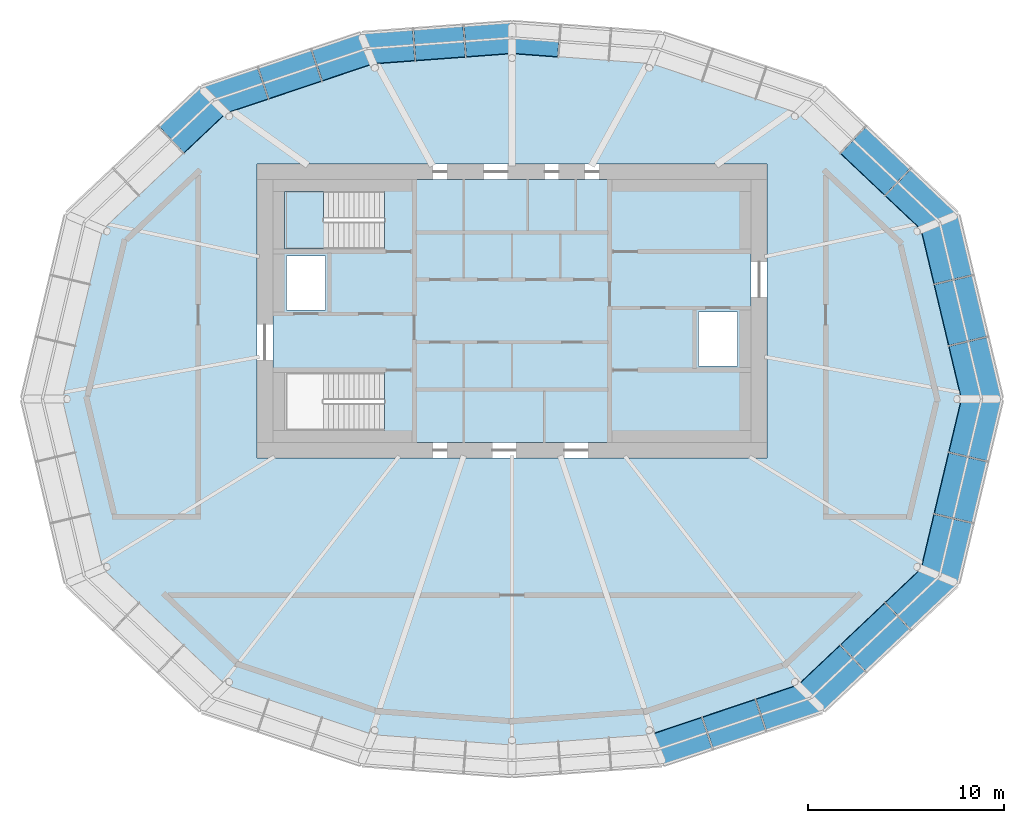
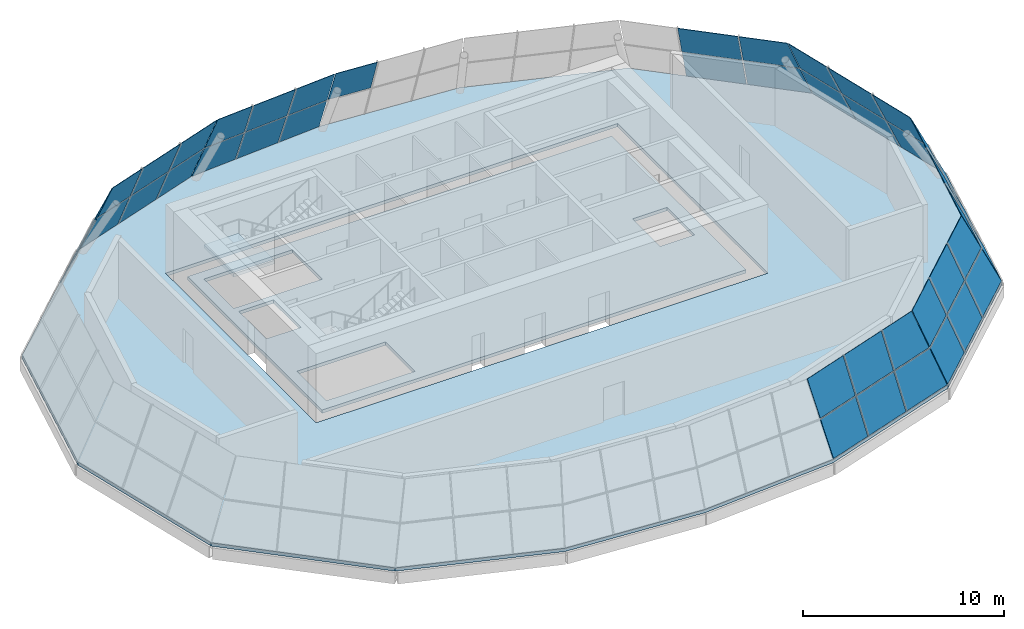
# One storey, part 4 of 8: 43 plates, 3 slabs, 10 elements without a shape of their own.
"""IFC4 building model written with IfcOpenShell, lengths in metres."""

from ifc_helpers import new_model, si_unit, direction, frame, origin, place, context, subcontext, project, spatial, polyline, outline, extrude, material, layer, layer_set, type_object, element, aggregate, save


model = new_model("IFC4")

# Units and contexts
model_context = context("Model", 3, precision=1e-05, world=origin(), true_north=direction((0.0, 1.0)))
body_context = subcontext(model_context, "Body", "Model", "MODEL_VIEW")
ifc_project = project(units=[si_unit("LENGTHUNIT", "METRE"), si_unit("AREAUNIT", "SQUARE_METRE"), si_unit("VOLUMEUNIT", "CUBIC_METRE"), si_unit("PLANEANGLEUNIT", "RADIAN"), si_unit("MASSUNIT", "GRAM", prefix="KILO")], contexts=[model_context])

# Site, building, storey
site_placement = place(None, origin())
site = spatial("IfcSite", under=ifc_project, at=site_placement, CompositionType="ELEMENT")
building_placement = place(site_placement, origin())
building = spatial("IfcBuilding", under=site, at=building_placement, Name="Rubra Terraces Tower", CompositionType="ELEMENT")
storey_placement = place(building_placement, frame((0.0, 0.0, 312.0)))
storey = spatial("IfcBuildingStorey", under=building, at=storey_placement, Name="L77", CompositionType="ELEMENT", Elevation=312.0)

# Slab
ifc_material_1 = material(Name="Concrete C40", Category="concrete")
ifc_layer_1 = layer(ifc_material_1, 0.199951171875)
ifc_layer_set_1 = layer_set([ifc_layer_1], Name="Concrete C40")
slab_type_1 = type_object("IfcSlabType", Name="Core floor slab 200 concrete", PredefinedType="FLOOR", material=ifc_layer_set_1)
slab_1_placement = place(storey_placement, frame((0.0, 0.0, -0.199951171875)))
element("IfcSlab", 1, at=slab_1_placement, inside=storey, type_object=slab_type_1, Name="CORE FLOOR SLAB L77", PredefinedType="FLOOR", context=body_context, shape_type="SweptSolid", body=[
    extrude(outline(polyline([(-12.199951171875, -2.199951171875), (-12.199951171875, 11.199951171875), (12.199951171875, 11.199951171875), (12.199951171875, -2.199951171875), (-12.199951171875, -2.199951171875)]), holes=[polyline([(11.5, 4.449951171875), (9.5, 4.449951171875), (9.5, 1.699951171875), (11.5, 1.699951171875), (11.5, 4.449951171875)]), polyline([(-6.501953125, -1.597900390625), (-6.501953125, 1.347900390625), (-11.597900390625, 1.347900390625), (-11.597900390625, -1.597900390625), (-6.501953125, -1.597900390625)]), polyline([(-6.501953125, 7.652099609375), (-6.501953125, 10.597900390625), (-11.597900390625, 10.597900390625), (-11.597900390625, 7.652099609375), (-6.501953125, 7.652099609375)]), polyline([(-11.5, 7.300048828125), (-11.5, 4.550048828125), (-9.5, 4.550048828125), (-9.5, 7.300048828125), (-11.5, 7.300048828125)])]), origin(), (0.0, 0.0, 1.0), 0.199951171875),
])

# Stair, slab
stair_type = type_object("IfcStairType", Name="Core stair 1400", PredefinedType="HALF_TURN_STAIR", material=ifc_material_1)
stair_placement = place(storey_placement, origin())
stair = element("IfcStair", 2, at=stair_placement, inside=storey, type_object=stair_type, Name="L77 Exit stair S2", PredefinedType="HALF_TURN_STAIR")
ifc_layer_2 = layer(ifc_material_1, 0.199951171875)
ifc_layer_set_2 = layer_set([ifc_layer_2], Name="Concrete C40")
slab_type_2 = type_object("IfcSlabType", Name="Core stair landing 200", PredefinedType="LANDING", material=ifc_layer_set_2)
slab_2_placement = place(storey_placement, frame((0.0, 0.0, 1.89990234375)))
slab_2 = element("IfcSlab", 3, at=slab_2_placement, type_object=slab_type_2, Name="S2 landing 1", PredefinedType="LANDING", context=body_context, shape_type="SweptSolid", body=[
    extrude(outline(polyline([(-9.239990234375, 9.050048828125), (-9.239990234375, 7.64990234375), (-9.639892578125, 7.64990234375), (-11.60009765625, 7.64990234375), (-11.60009765625, 10.60009765625), (-9.639892578125, 10.60009765625), (-9.6201171875, 10.60009765625), (-9.617919921875, 10.60009765625), (-9.617919921875, 9.199951171875), (-9.6201171875, 9.199951171875), (-9.6201171875, 9.050048828125), (-9.239990234375, 9.050048828125)])), origin(), (0.0, 0.0, 1.0), 0.2001953125),
])
aggregate(stair, [slab_2])

# Curtain wall, plates
ifc_material_2 = material(Name="Aluminium and glass", Category="aluminium")
curtain_wall_type = type_object("IfcCurtainWallType", Name="Curtain wall Crown glazing", PredefinedType="NOTDEFINED", material=ifc_material_2)
curtain_wall_1_placement = place(storey_placement, origin())
curtain_wall_1 = element("IfcCurtainWall", 4, at=curtain_wall_1_placement, inside=storey, type_object=curtain_wall_type, Name="Crown glazing L77 facet 1", PredefinedType="NOTDEFINED")
ifc_material_3 = material(Name="Clear glass, laminated", Category="glass")
ifc_layer_3 = layer(ifc_material_3, 0.028076171875)
ifc_layer_set_3 = layer_set([ifc_layer_3], Name="Clear glass, laminated")
plate_type = type_object("IfcPlateType", Name="Crown glazing glass panel 28", PredefinedType="CURTAIN_PANEL", material=ifc_layer_set_3)
plate_1_placement = place(storey_placement, frame((24.962890625, 0.029296875, 0.02685546875), z_axis=(0.877601484203, 0.208370163411, 0.431737779125), x_axis=(-0.231008599542, 0.972951708429, -1.428306e-06)))
plate_1 = element("IfcPlate", 5, at=plate_1_placement, type_object=plate_type, Name="Crown glazing L77 facet 1 panel 1.1", PredefinedType="CURTAIN_PANEL", context=body_context, shape_type="SweptSolid", body=[
    extrude(outline(polyline([(0.0, 0.0), (3.203341937260979, 5.551115123125783e-17), (3.2032658531947282, 2.268457929093762), (0.23252843878854734, 2.2684481525030096), (0.0, 0.0)])), origin(), (0.0, 0.0, -1.0), 0.028076171875),
])
plate_2_placement = place(storey_placement, frame((23.9296875, 0.029296875, 2.126953125), z_axis=(0.877632394045, 0.208323171894, 0.431697622155), x_axis=(-0.230944680452, 0.972966882431, -1.6248174e-05)))
plate_2 = element("IfcPlate", 6, at=plate_2_placement, type_object=plate_type, Name="Crown glazing L77 facet 1 panel 1.2", PredefinedType="CURTAIN_PANEL", context=body_context, shape_type="SweptSolid", body=[
    extrude(outline(polyline([(0.0, 0.0), (2.964641748023964, 0.0), (2.964470998962058, 2.2684579212239084), (0.23237739181510775, 2.2683553051888463), (0.0, 0.0)])), origin(), (0.0, 0.0, -1.0), 0.028076171875),
])
plate_3_placement = place(storey_placement, frame((24.208984375, 3.204345703125, 0.02685546875), z_axis=(0.877608452797, 0.208332081824, 0.431741991543), x_axis=(-0.2309675619, 0.972961451112, 0.0)))
plate_3 = element("IfcPlate", 7, at=plate_3_placement, type_object=plate_type, Name="Crown glazing L77 facet 1 panel 2.1", PredefinedType="CURTAIN_PANEL", context=body_context, shape_type="SweptSolid", body=[
    extrude(outline(polyline([(0.0, 0.0), (3.1679316658455337, 0.0), (3.167817195365402, 2.2684579275062524), (-0.0001144704801316343, 2.268457927506252), (0.0, 0.0)])), origin(), (0.0, 0.0, -1.0), 0.028076171875),
])
plate_4_placement = place(storey_placement, frame((23.231201171875, 2.97216796875, 2.126953125), z_axis=(0.877592828376, 0.208397885107, 0.431741993634), x_axis=(-0.231040515028, 0.972944130162, 0.0)))
plate_4 = element("IfcPlate", 8, at=plate_4_placement, type_object=plate_type, Name="Crown glazing L77 facet 1 panel 2.2", PredefinedType="CURTAIN_PANEL", context=body_context, shape_type="SweptSolid", body=[
    extrude(outline(polyline([(0.0, 0.0), (3.167988063315941, -5.551115123125783e-17), (3.167947028524251, 2.2684579300233008), (-4.103479169018098e-05, 2.2684579300233008), (0.0, 0.0)])), origin(), (0.0, 0.0, -1.0), 0.028076171875),
])
plate_5_placement = place(storey_placement, frame((23.46337890625, 6.344970703125, 0.02685546875), z_axis=(0.877605096468, 0.208358525105, 0.431736053242), x_axis=(-0.230997110679, 0.972954436165, 2.06211e-06)))
plate_5 = element("IfcPlate", 9, at=plate_5_placement, type_object=plate_type, Name="Crown glazing L77 facet 1 panel 3.1", PredefinedType="CURTAIN_PANEL", context=body_context, shape_type="SweptSolid", body=[
    extrude(outline(polyline([(0.0, 0.0), (3.1273075167058275, -5.551115123125783e-17), (2.9698878981108416, 2.2684439896079054), (-8.050703082482684e-05, 2.26845792891668), (0.0, 0.0)])), origin(), (0.0, 0.0, -1.0), 0.028076171875),
])
plate_6_placement = place(storey_placement, frame((22.485595703125, 6.11279296875, 2.126953125), z_axis=(0.877620249741, 0.208401436097, 0.431684536066), x_axis=(-0.231043753052, 0.972943361142, 1.3626969e-05)))
plate_6 = element("IfcPlate", 10, at=plate_6_placement, type_object=plate_type, Name="Crown glazing L77 facet 1 panel 3.2", PredefinedType="CURTAIN_PANEL", context=body_context, shape_type="SweptSolid", body=[
    extrude(outline(polyline([(0.0, 0.0), (2.9657610840215325, 0.0), (2.8083556713311095, 2.2683463460751865), (0.0002276424255113271, 2.268433572749463), (0.0, 0.0)])), origin(), (0.0, 0.0, -1.0), 0.028076171875),
])
aggregate(curtain_wall_1, [plate_1, plate_2, plate_3, plate_4, plate_5, plate_6])

curtain_wall_2_placement = place(storey_placement, origin())
curtain_wall_2 = element("IfcCurtainWall", 11, at=curtain_wall_2_placement, inside=storey, type_object=curtain_wall_type, Name="Crown glazing L77 facet 2", PredefinedType="NOTDEFINED")
plate_7_placement = place(storey_placement, frame((22.712158203125, 9.4375, 0.027099609375), z_axis=(0.628269190542, 0.66455780544, 0.404525335974), x_axis=(-0.726668768088, 0.686987992242, 9.05335e-07)))
plate_7 = element("IfcPlate", 12, at=plate_7_placement, type_object=plate_type, Name="Crown glazing L77 facet 2 panel 1.1", PredefinedType="CURTAIN_PANEL", context=body_context, shape_type="SweptSolid", body=[
    extrude(outline(polyline([(0.0, 0.0), (3.2975623874015945, 1.1102230246251565e-16), (3.2974062885633186, 2.2371082739567147), (0.40534744174529347, 2.2371144013651363), (0.0, 0.0)])), origin(), (0.0, 0.0, -1.0), 0.028076171875),
])
plate_8_placement = place(storey_placement, frame((21.771728515625, 9.048095703125, 2.126953125), z_axis=(0.628298375028, 0.664553570775, 0.404486963333), x_axis=(-0.72665090008, 0.687006891822, 1.722245e-06)))
plate_8 = element("IfcPlate", 13, at=plate_8_placement, type_object=plate_type, Name="Crown glazing L77 facet 2 panel 1.2", PredefinedType="CURTAIN_PANEL", context=body_context, shape_type="SweptSolid", body=[
    extrude(outline(polyline([(0.0, 0.0), (2.881695228458267, 0.0), (2.881517264387662, 2.237331547950868), (0.4053255759598299, 2.237341637781896), (0.0, 0.0)])), origin(), (0.0, 0.0, -1.0), 0.028076171875),
])
plate_9_placement = place(storey_placement, frame((20.2724609375, 11.744140625, 0.027099609375), z_axis=(0.628265698578, 0.66456404546, 0.404520508099), x_axis=(-0.726679914101, 0.686976201926, 2.0715856e-05)))
plate_9 = element("IfcPlate", 14, at=plate_9_placement, type_object=plate_type, Name="Crown glazing L77 facet 2 panel 2.1", PredefinedType="CURTAIN_PANEL", context=body_context, shape_type="SweptSolid", body=[
    extrude(outline(polyline([(0.0, 0.0), (3.0816907956423316, 0.0), (3.0817576287437976, 2.237036507130115), (7.652639057053223e-05, 2.237176119468587), (0.0, 0.0)])), origin(), (0.0, 0.0, -1.0), 0.028076171875),
])
plate_10_placement = place(storey_placement, frame((19.63427734375, 11.069091796875, 2.126953125), z_axis=(0.628248758874, 0.664584447097, 0.40451329972), x_axis=(-0.726696452909, 0.686958707076, 1.0066661e-05)))
plate_10 = element("IfcPlate", 15, at=plate_10_placement, type_object=plate_type, Name="Crown glazing L77 facet 2 panel 2.2", PredefinedType="CURTAIN_PANEL", context=body_context, shape_type="SweptSolid", body=[
    extrude(outline(polyline([(0.0, 0.0), (3.0816907987290296, 1.1102230246251565e-16), (3.0815899151667203, 2.237331551473553), (7.653256388904046e-05, 2.2373993925973865), (0.0, 0.0)])), origin(), (0.0, 0.0, -1.0), 0.028076171875),
])
aggregate(curtain_wall_2, [plate_7, plate_8, plate_9, plate_10])

# Curtain wall, plate
curtain_wall_3_placement = place(storey_placement, origin())
curtain_wall_3 = element("IfcCurtainWall", 16, at=curtain_wall_3_placement, inside=storey, type_object=curtain_wall_type, Name="Crown glazing L77 facet 4", PredefinedType="NOTDEFINED")
plate_11_placement = place(storey_placement, frame((2.3837890625, 18.236083984375, 2.1279296875), z_axis=(0.069203310164, 0.933044771367, 0.353041578976), x_axis=(-0.997260885156, 0.073964362468, 4.794568e-06)))
plate_11 = element("IfcPlate", 17, at=plate_11_placement, type_object=plate_type, Name="Crown glazing L77 facet 4 panel 3.2", PredefinedType="CURTAIN_PANEL", context=body_context, shape_type="SweptSolid", body=[
    extrude(outline(polyline([(0.0, 0.0), (2.3604672787687426, 6.938893903907228e-18), (2.3032702681766657, 2.1848671784860114), (-0.0001610778764387808, 2.1848910788651494), (0.0, 0.0)])), origin(), (0.0, 0.0, -1.0), 0.028076171875),
])
aggregate(curtain_wall_3, [plate_11])

# Curtain wall, plates
curtain_wall_4_placement = place(storey_placement, origin())
curtain_wall_4 = element("IfcCurtainWall", 18, at=curtain_wall_4_placement, inside=storey, type_object=curtain_wall_type, Name="Crown glazing L77 facet 5", PredefinedType="NOTDEFINED")
plate_12_placement = place(storey_placement, frame((-0.02978515625, 19.205078125, 0.028076171875), z_axis=(-0.069223953198, 0.933066273223, 0.352980699298), x_axis=(-0.997259382165, -0.073984624498, -4.756467e-06)))
plate_12 = element("IfcPlate", 19, at=plate_12_placement, type_object=plate_type, Name="Crown glazing L77 facet 5 panel 1.1", PredefinedType="CURTAIN_PANEL", context=body_context, shape_type="SweptSolid", body=[
    extrude(outline(polyline([(0.0, 0.0), (2.4192255723406606, 1.3877787807814457e-17), (2.419384339426312, 2.184576704665011), (0.057194698399326505, 2.1845523973767738), (0.0, 0.0)])), origin(), (0.0, 0.0, -1.0), 0.028076171875),
])
plate_13_placement = place(storey_placement, frame((-0.02978515625, 18.41064453125, 2.128173828125), z_axis=(-0.069251335168, 0.933031956356, 0.353066029229), x_axis=(-0.997256552534, -0.074022755168, 1.2032598e-05)))
plate_13 = element("IfcPlate", 20, at=plate_13_placement, type_object=plate_type, Name="Crown glazing L77 facet 5 panel 1.2", PredefinedType="CURTAIN_PANEL", context=body_context, shape_type="SweptSolid", body=[
    extrude(outline(polyline([(0.0, 0.0), (2.360485344784132, 6.938893903907228e-18), (2.3607079099492916, 2.184348275404005), (0.05727656573486454, 2.1844082573721306), (0.0, 0.0)])), origin(), (0.0, 0.0, -1.0), 0.028076171875),
])
plate_14_placement = place(storey_placement, frame((-2.502197265625, 19.021728515625, 0.028076171875), z_axis=(-0.069256577592, 0.93303874547, 0.353047059062), x_axis=(-0.99725699318, -0.074016817411, -1.7130484e-05)))
plate_14 = element("IfcPlate", 21, at=plate_14_placement, type_object=plate_type, Name="Crown glazing L77 facet 5 panel 2.1", PredefinedType="CURTAIN_PANEL", context=body_context, shape_type="SweptSolid", body=[
    extrude(outline(polyline([(0.0, 0.0), (2.5215566109029486, 0.0), (2.521489579370836, 2.184669034340835), (0.00015836890142492205, 2.1845767015109345), (0.0, 0.0)])), origin(), (0.0, 0.0, -1.0), 0.028076171875),
])
plate_15_placement = place(storey_placement, frame((-2.443603515625, 18.2314453125, 2.128173828125), z_axis=(-0.069211861392, 0.933046552885, 0.353035194269), x_axis=(-0.997260120566, -0.073974670851, -1.182878e-06)))
plate_15 = element("IfcPlate", 22, at=plate_15_placement, type_object=plate_type, Name="Crown glazing L77 facet 5 panel 2.2", PredefinedType="CURTAIN_PANEL", context=body_context, shape_type="SweptSolid", body=[
    extrude(outline(polyline([(0.0, 0.0), (2.521556613857128, 0.0), (2.5214715169576056, 2.1843546580909243), (0.00015837480959964145, 2.184348282466263), (0.0, 0.0)])), origin(), (0.0, 0.0, -1.0), 0.028076171875),
])
plate_16_placement = place(storey_placement, frame((-5.07666015625, 18.830810546875, 0.028076171875), z_axis=(-0.069202357943, 0.933040268449, 0.353053666044), x_axis=(-0.997260397718, -0.073970933042, 1.4412024e-05)))
plate_16 = element("IfcPlate", 23, at=plate_16_placement, type_object=plate_type, Name="Crown glazing L77 facet 5 panel 3.1", PredefinedType="CURTAIN_PANEL", context=body_context, shape_type="SweptSolid", body=[
    extrude(outline(polyline([(0.0, 0.0), (2.6192436318415653, -1.3877787807814457e-17), (2.3648297764716646, 2.184592260626674), (-3.8053122207394306e-05, 2.1846690358474437), (0.0, 0.0)])), origin(), (0.0, 0.0, -1.0), 0.028076171875),
])
plate_17_placement = place(storey_placement, frame((-5.01806640625, 18.04052734375, 2.128173828125), z_axis=(-0.069226570365, 0.933022607394, 0.353095590523), x_axis=(-0.997258389141, -0.0739980073, 1.4261476e-05)))
plate_17 = element("IfcPlate", 24, at=plate_17_placement, type_object=plate_type, Name="Crown glazing L77 facet 5 panel 3.2", PredefinedType="CURTAIN_PANEL", context=body_context, shape_type="SweptSolid", body=[
    extrude(outline(polyline([(0.0, 0.0), (2.3577890920500817, 6.938893903907228e-18), (2.1031523907522938, 2.1843726239293844), (-1.7421689362301073e-05, 2.1844406238510365), (0.0, 0.0)])), origin(), (0.0, 0.0, -1.0), 0.028076171875),
])
aggregate(curtain_wall_4, [plate_12, plate_13, plate_14, plate_15, plate_16, plate_17])

curtain_wall_5_placement = place(storey_placement, origin())
curtain_wall_5 = element("IfcCurtainWall", 25, at=curtain_wall_5_placement, inside=storey, type_object=curtain_wall_type, Name="Crown glazing L77 facet 6", PredefinedType="NOTDEFINED")
plate_18_placement = place(storey_placement, frame((-7.747314453125, 18.625244140625, 0.02783203125), z_axis=(-0.296299382677, 0.881152327776, 0.368479648122), x_axis=(-0.947846854609, -0.318726121, -4.73434e-07)))
plate_18 = element("IfcPlate", 26, at=plate_18_placement, type_object=plate_type, Name="Crown glazing L77 facet 6 panel 1.1", PredefinedType="CURTAIN_PANEL", context=body_context, shape_type="SweptSolid", body=[
    extrude(outline(polyline([(0.0, 0.0), (2.5798592947488244, 0.0), (2.5800629781669078, 2.198915576585426), (-0.05569225756901223, 2.1989129204379547), (0.0, 0.0)])), origin(), (0.0, 0.0, -1.0), 0.028076171875),
])
plate_19_placement = place(storey_placement, frame((-7.427734375, 17.8544921875, 2.1279296875), z_axis=(-0.296234914574, 0.88116793477, 0.368494160225), x_axis=(-0.947870177511, -0.318656753502, -5.773982e-06)))
plate_19 = element("IfcPlate", 27, at=plate_19_placement, type_object=plate_type, Name="Crown glazing L77 facet 6 panel 1.2", PredefinedType="CURTAIN_PANEL", context=body_context, shape_type="SweptSolid", body=[
    extrude(outline(polyline([(0.0, 0.0), (2.63722150710114, 0.0), (2.637123644102679, 2.198944248267082), (-0.055762389694741094, 2.1989111426842687), (0.0, 0.0)])), origin(), (0.0, 0.0, -1.0), 0.028076171875),
])
plate_20_placement = place(storey_placement, frame((-10.24951171875, 17.783935546875, 0.02783203125), z_axis=(-0.29621766188, 0.881153804327, 0.368541815688), x_axis=(-0.947875887431, -0.318639767878, -1.881863e-05)))
plate_20 = element("IfcPlate", 28, at=plate_20_placement, type_object=plate_type, Name="Crown glazing L77 facet 6 panel 2.1", PredefinedType="CURTAIN_PANEL", context=body_context, shape_type="SweptSolid", body=[
    extrude(outline(polyline([(0.0, 0.0), (2.8146366126119258, 0.0), (2.8145753558299593, 2.1990295327468368), (9.236531753424902e-05, 2.198915579384652), (0.0, 0.0)])), origin(), (0.0, 0.0, -1.0), 0.028076171875),
])
plate_21_placement = place(storey_placement, frame((-9.984375, 16.9951171875, 2.1279296875), z_axis=(-0.296227908721, 0.881143965862, 0.368557102115), x_axis=(-0.947867326744, -0.318665232954, 1.4085202e-05)))
plate_21 = element("IfcPlate", 29, at=plate_21_placement, type_object=plate_type, Name="Crown glazing L77 facet 6 panel 2.2", PredefinedType="CURTAIN_PANEL", context=body_context, shape_type="SweptSolid", body=[
    extrude(outline(polyline([(0.0, 0.0), (2.8144829944335594, 0.0), (2.8144329765077956, 2.198944247633478), (2.778120337537546e-05, 2.1990295354905838), (0.0, 0.0)])), origin(), (0.0, 0.0, -1.0), 0.028076171875),
])
plate_22_placement = place(storey_placement, frame((-12.97412109375, 16.867919921875, 0.02783203125), z_axis=(-0.296241713257, 0.881181393638, 0.36845650874), x_axis=(-0.947867821892, -0.318663760367, 7.026511e-06)))
plate_22 = element("IfcPlate", 30, at=plate_22_placement, type_object=plate_type, Name="Crown glazing L77 facet 6 panel 3.1", PredefinedType="CURTAIN_PANEL", context=body_context, shape_type="SweptSolid", body=[
    extrude(outline(polyline([(0.0, 0.0), (3.0444744722824226, -5.551115123125783e-17), (2.642019440978169, 2.1988726001901457), (0.00016570687229684256, 2.19891557901125), (0.0, 0.0)])), origin(), (0.0, 0.0, -1.0), 0.028076171875),
])
plate_23_placement = place(storey_placement, frame((-12.708984375, 16.0791015625, 2.1279296875), z_axis=(-0.29623875342, 0.881150332773, 0.368533162722), x_axis=(-0.947863372518, -0.318676994007, 2.2997738e-05)))
plate_23 = element("IfcPlate", 31, at=plate_23_placement, type_object=plate_type, Name="Crown glazing L77 facet 6 panel 3.2", PredefinedType="CURTAIN_PANEL", context=body_context, shape_type="SweptSolid", body=[
    extrude(outline(polyline([(0.0, 0.0), (2.6311230040743374, 1.1102230246251565e-16), (2.22848051994141, 2.1989093110939506), (5.605763655362926e-05, 2.199029531452459), (0.0, 0.0)])), origin(), (0.0, 0.0, -1.0), 0.028076171875),
])
aggregate(curtain_wall_5, [plate_18, plate_19, plate_20, plate_21, plate_22, plate_23])

curtain_wall_6_placement = place(storey_placement, origin())
curtain_wall_6 = element("IfcCurtainWall", 32, at=curtain_wall_6_placement, inside=storey, type_object=curtain_wall_type, Name="Crown glazing L77 facet 7", PredefinedType="NOTDEFINED")
plate_24_placement = place(storey_placement, frame((-15.91015625, 15.867919921875, 0.02734375), z_axis=(-0.62824743684, 0.664567931086, 0.404542486119), x_axis=(-0.726682642807, -0.686973315747, 9.708295e-06)))
plate_24 = element("IfcPlate", 33, at=plate_24_placement, type_object=plate_type, Name="Crown glazing L77 facet 7 panel 1.1", PredefinedType="CURTAIN_PANEL", context=body_context, shape_type="SweptSolid", body=[
    extrude(outline(polyline([(0.0, 0.0), (2.861145398248436, 1.1102230246251565e-16), (2.8613146218203407, 2.2362988391336045), (-0.025222130498258118, 2.23635985501384), (0.0, 0.0)])), origin(), (0.0, 0.0, -1.0), 0.028076171875),
])
plate_25_placement = place(storey_placement, frame((-15.253173828125, 15.210693359375, 2.12744140625), z_axis=(-0.628267190443, 0.664531142245, 0.404572241262), x_axis=(-0.726656333654, -0.687001144656, -1.675302e-06)))
plate_25 = element("IfcPlate", 34, at=plate_25_placement, type_object=plate_type, Name="Crown glazing L77 facet 7 panel 1.2", PredefinedType="CURTAIN_PANEL", context=body_context, shape_type="SweptSolid", body=[
    extrude(outline(polyline([(0.0, 0.0), (2.88704960309293, 0.0), (2.8870527825527526, 2.236366691389175), (-0.025555893726917536, 2.2363560668757136), (0.0, 0.0)])), origin(), (0.0, 0.0, -1.0), 0.028076171875),
])
aggregate(curtain_wall_6, [plate_24, plate_25])

curtain_wall_7_placement = place(storey_placement, origin())
curtain_wall_7 = element("IfcCurtainWall", 35, at=curtain_wall_7_placement, inside=storey, type_object=curtain_wall_type, Name="Crown glazing L77 facet 14", PredefinedType="NOTDEFINED")
plate_26_placement = place(storey_placement, frame((7.747314453125, -18.625244140625, 0.02783203125), z_axis=(0.296299382677, -0.881152327776, 0.368479648122), x_axis=(0.947846854609, 0.318726121, -4.73434e-07)))
plate_26 = element("IfcPlate", 36, at=plate_26_placement, type_object=plate_type, Name="Crown glazing L77 facet 14 panel 1.1", PredefinedType="CURTAIN_PANEL", context=body_context, shape_type="SweptSolid", body=[
    extrude(outline(polyline([(0.0, 0.0), (2.5798592947488244, 0.0), (2.5800629781669078, 2.198915576585426), (-0.05569225756901223, 2.1989129204379547), (0.0, 0.0)])), origin(), (0.0, 0.0, -1.0), 0.028076171875),
])
plate_27_placement = place(storey_placement, frame((7.427734375, -17.8544921875, 2.1279296875), z_axis=(0.296234914574, -0.88116793477, 0.368494160225), x_axis=(0.947870177511, 0.318656753502, -5.773982e-06)))
plate_27 = element("IfcPlate", 37, at=plate_27_placement, type_object=plate_type, Name="Crown glazing L77 facet 14 panel 1.2", PredefinedType="CURTAIN_PANEL", context=body_context, shape_type="SweptSolid", body=[
    extrude(outline(polyline([(0.0, 0.0), (2.63722150710114, 0.0), (2.637123644102679, 2.198944248267082), (-0.055762389694741094, 2.1989111426842687), (0.0, 0.0)])), origin(), (0.0, 0.0, -1.0), 0.028076171875),
])
plate_28_placement = place(storey_placement, frame((10.24951171875, -17.783935546875, 0.02783203125), z_axis=(0.29621766188, -0.881153804327, 0.368541815688), x_axis=(0.947875887431, 0.318639767878, -1.881863e-05)))
plate_28 = element("IfcPlate", 38, at=plate_28_placement, type_object=plate_type, Name="Crown glazing L77 facet 14 panel 2.1", PredefinedType="CURTAIN_PANEL", context=body_context, shape_type="SweptSolid", body=[
    extrude(outline(polyline([(0.0, 0.0), (2.8146366126119258, 0.0), (2.8145753558299593, 2.1990295327468368), (9.236531753424902e-05, 2.198915579384652), (0.0, 0.0)])), origin(), (0.0, 0.0, -1.0), 0.028076171875),
])
plate_29_placement = place(storey_placement, frame((9.984375, -16.9951171875, 2.1279296875), z_axis=(0.296227908721, -0.881143965862, 0.368557102115), x_axis=(0.947867326744, 0.318665232954, 1.4085202e-05)))
plate_29 = element("IfcPlate", 39, at=plate_29_placement, type_object=plate_type, Name="Crown glazing L77 facet 14 panel 2.2", PredefinedType="CURTAIN_PANEL", context=body_context, shape_type="SweptSolid", body=[
    extrude(outline(polyline([(0.0, 0.0), (2.8144829944335594, 0.0), (2.8144329765077956, 2.198944247633478), (2.778120337537546e-05, 2.1990295354905838), (0.0, 0.0)])), origin(), (0.0, 0.0, -1.0), 0.028076171875),
])
plate_30_placement = place(storey_placement, frame((12.97412109375, -16.867919921875, 0.02783203125), z_axis=(0.296241713257, -0.881181393638, 0.36845650874), x_axis=(0.947867821892, 0.318663760367, 7.026511e-06)))
plate_30 = element("IfcPlate", 40, at=plate_30_placement, type_object=plate_type, Name="Crown glazing L77 facet 14 panel 3.1", PredefinedType="CURTAIN_PANEL", context=body_context, shape_type="SweptSolid", body=[
    extrude(outline(polyline([(0.0, 0.0), (3.0444744722824226, -5.551115123125783e-17), (2.642019440978169, 2.1988726001901457), (0.00016570687229684256, 2.19891557901125), (0.0, 0.0)])), origin(), (0.0, 0.0, -1.0), 0.028076171875),
])
plate_31_placement = place(storey_placement, frame((12.708984375, -16.0791015625, 2.1279296875), z_axis=(0.29623875342, -0.881150332773, 0.368533162722), x_axis=(0.947863372518, 0.318676994007, 2.2997738e-05)))
plate_31 = element("IfcPlate", 41, at=plate_31_placement, type_object=plate_type, Name="Crown glazing L77 facet 14 panel 3.2", PredefinedType="CURTAIN_PANEL", context=body_context, shape_type="SweptSolid", body=[
    extrude(outline(polyline([(0.0, 0.0), (2.6311230040743374, 1.1102230246251565e-16), (2.22848051994141, 2.1989093110939506), (5.605763655362926e-05, 2.199029531452459), (0.0, 0.0)])), origin(), (0.0, 0.0, -1.0), 0.028076171875),
])
aggregate(curtain_wall_7, [plate_26, plate_27, plate_28, plate_29, plate_30, plate_31])

curtain_wall_8_placement = place(storey_placement, origin())
curtain_wall_8 = element("IfcCurtainWall", 42, at=curtain_wall_8_placement, inside=storey, type_object=curtain_wall_type, Name="Crown glazing L77 facet 15", PredefinedType="NOTDEFINED")
plate_32_placement = place(storey_placement, frame((15.91015625, -15.867919921875, 0.02734375), z_axis=(0.62824743684, -0.664567931086, 0.404542486119), x_axis=(0.726682642807, 0.686973315747, 9.708295e-06)))
plate_32 = element("IfcPlate", 43, at=plate_32_placement, type_object=plate_type, Name="Crown glazing L77 facet 15 panel 1.1", PredefinedType="CURTAIN_PANEL", context=body_context, shape_type="SweptSolid", body=[
    extrude(outline(polyline([(0.0, 0.0), (2.861145398248436, 1.1102230246251565e-16), (2.8613146218203407, 2.2362988391336045), (-0.025222130498258118, 2.23635985501384), (0.0, 0.0)])), origin(), (0.0, 0.0, -1.0), 0.028076171875),
])
plate_33_placement = place(storey_placement, frame((15.253173828125, -15.210693359375, 2.12744140625), z_axis=(0.628267190443, -0.664531142245, 0.404572241262), x_axis=(0.726656333654, 0.687001144656, -1.675302e-06)))
plate_33 = element("IfcPlate", 44, at=plate_33_placement, type_object=plate_type, Name="Crown glazing L77 facet 15 panel 1.2", PredefinedType="CURTAIN_PANEL", context=body_context, shape_type="SweptSolid", body=[
    extrude(outline(polyline([(0.0, 0.0), (2.88704960309293, 0.0), (2.8870527825527526, 2.236366691389175), (-0.025555893726917536, 2.2363560668757136), (0.0, 0.0)])), origin(), (0.0, 0.0, -1.0), 0.028076171875),
])
plate_34_placement = place(storey_placement, frame((18.032958984375, -13.861083984375, 0.02734375), z_axis=(0.628277150864, -0.664537842055, 0.404545767719), x_axis=(0.72665078529, 0.687007013163, 1.0067956e-05)))
plate_34 = element("IfcPlate", 45, at=plate_34_placement, type_object=plate_type, Name="Crown glazing L77 facet 15 panel 2.1", PredefinedType="CURTAIN_PANEL", context=body_context, shape_type="SweptSolid", body=[
    extrude(outline(polyline([(0.0, 0.0), (3.0816811086023437, -1.1102230246251565e-16), (3.0818930170857697, 2.236298835235191), (3.450350654860669e-05, 2.2363666898421504), (0.0, 0.0)])), origin(), (0.0, 0.0, -1.0), 0.028076171875),
])
plate_35_placement = place(storey_placement, frame((17.394775390625, -13.18603515625, 2.12744140625), z_axis=(0.628268103449, -0.664566589274, 0.404512593882), x_axis=(0.726667324439, 0.686989518961, 2.0715595e-05)))
plate_35 = element("IfcPlate", 46, at=plate_35_placement, type_object=plate_type, Name="Crown glazing L77 facet 15 panel 2.2", PredefinedType="CURTAIN_PANEL", context=body_context, shape_type="SweptSolid", body=[
    extrude(outline(polyline([(0.0, 0.0), (3.0816811055156914, 0.0), (3.081725289813199, 2.2362270755428564), (3.449733327923485e-05, 2.2363666855888837), (0.0, 0.0)])), origin(), (0.0, 0.0, -1.0), 0.028076171875),
])
plate_36_placement = place(storey_placement, frame((20.31591796875, -11.70263671875, 0.02734375), z_axis=(0.628271594933, -0.664560348708, 0.404517423514), x_axis=(0.726669098391, 0.686987642858, -1.992346e-06)))
plate_36 = element("IfcPlate", 47, at=plate_36_placement, type_object=plate_type, Name="Crown glazing L77 facet 15 panel 3.1", PredefinedType="CURTAIN_PANEL", context=body_context, shape_type="SweptSolid", body=[
    extrude(outline(polyline([(0.0, 0.0), (3.2972172563589206, 2.220446049250313e-16), (2.8922219759423853, 2.2363084054641313), (-0.00018200190665803464, 2.2362949210932492), (0.0, 0.0)])), origin(), (0.0, 0.0, -1.0), 0.028076171875),
])
plate_37_placement = place(storey_placement, frame((19.677734375, -11.027587890625, 2.12744140625), z_axis=(0.628257188564, -0.664554085038, 0.40455008723), x_axis=(0.726670302855, 0.68698636876, 9.284981e-06)))
plate_37 = element("IfcPlate", 48, at=plate_37_placement, type_object=plate_type, Name="Crown glazing L77 facet 15 panel 3.2", PredefinedType="CURTAIN_PANEL", context=body_context, shape_type="SweptSolid", body=[
    extrude(outline(polyline([(0.0, 0.0), (2.88135009648259, 0.0), (2.4763762939823137, 2.2363122940877656), (7.19733541059676e-06, 2.2363666904340382), (0.0, 0.0)])), origin(), (0.0, 0.0, -1.0), 0.028076171875),
])
aggregate(curtain_wall_8, [plate_32, plate_33, plate_34, plate_35, plate_36, plate_37])

curtain_wall_9_placement = place(storey_placement, origin())
curtain_wall_9 = element("IfcCurtainWall", 49, at=curtain_wall_9_placement, inside=storey, type_object=curtain_wall_type, Name="Crown glazing L77 facet 16", PredefinedType="NOTDEFINED")
plate_38_placement = place(storey_placement, frame((22.74072265625, -9.3876953125, 0.027099609375), z_axis=(0.877599447232, -0.208401877131, 0.431726612368), x_axis=(0.231049046816, 0.972942104033, -1.2866821e-05)))
plate_38 = element("IfcPlate", 50, at=plate_38_placement, type_object=plate_type, Name="Crown glazing L77 facet 16 panel 1.1", PredefinedType="CURTAIN_PANEL", context=body_context, shape_type="SweptSolid", body=[
    extrude(outline(polyline([(0.0, 0.0), (3.127363921175959, 5.551115123125783e-17), (3.127132508737923, 2.2682133583225035), (0.15740164380098445, 2.268126385114383), (0.0, 0.0)])), origin(), (0.0, 0.0, -1.0), 0.028076171875),
])
plate_39_placement = place(storey_placement, frame((21.80029296875, -8.998291015625, 2.126953125), z_axis=(0.877649198812, -0.208370168323, 0.43164077284), x_axis=(0.230996663451, 0.972954542346, 1.540989e-06)))
plate_39 = element("IfcPlate", 51, at=plate_39_placement, type_object=plate_type, Name="Crown glazing L77 facet 16 panel 1.2", PredefinedType="CURTAIN_PANEL", context=body_context, shape_type="SweptSolid", body=[
    extrude(outline(polyline([(0.0, 0.0), (2.9657046810628445, 0.0), (2.965611868673523, 2.268331041004371), (0.1574838368898829, 2.2683409045970033), (0.0, 0.0)])), origin(), (0.0, 0.0, -1.0), 0.028076171875),
])
plate_40_placement = place(storey_placement, frame((23.47705078125, -6.28662109375, 0.027099609375), z_axis=(0.877600960157, -0.208365059649, 0.431741307555), x_axis=(0.231010838112, 0.972951176813, -1.459981e-05)))
plate_40 = element("IfcPlate", 52, at=plate_40_placement, type_object=plate_type, Name="Crown glazing L77 facet 16 panel 2.1", PredefinedType="CURTAIN_PANEL", context=body_context, shape_type="SweptSolid", body=[
    extrude(outline(polyline([(0.0, 0.0), (3.167988061504598, -5.551115123125783e-17), (3.168029099918998, 2.26823771579559), (9.74375447985574e-05, 2.268135162042862), (0.0, 0.0)])), origin(), (0.0, 0.0, -1.0), 0.028076171875),
])
plate_41_placement = place(storey_placement, frame((22.499267578125, -6.054443359375, 2.126953125), z_axis=(0.877620478234, -0.208369693743, 0.431699394154), x_axis=(0.231010836792, 0.972951177126, -1.4598718e-05)))
plate_41 = element("IfcPlate", 53, at=plate_41_placement, type_object=plate_type, Name="Crown glazing L77 facet 16 panel 2.2", PredefinedType="CURTAIN_PANEL", context=body_context, shape_type="SweptSolid", body=[
    extrude(outline(polyline([(0.0, 0.0), (3.1679880615045173, 5.551115123125783e-17), (3.1680290999190786, 2.268457927493513), (9.743754463740098e-05, 2.268355383696692), (0.0, 0.0)])), origin(), (0.0, 0.0, -1.0), 0.028076171875),
])
plate_42_placement = place(storey_placement, frame((24.222900390625, -3.14599609375, 0.027099609375), z_axis=(0.877581963078, -0.208365528482, 0.431779694544), x_axis=(0.231008599413, 0.97295170846, 1.428413e-06)))
plate_42 = element("IfcPlate", 54, at=plate_42_placement, type_object=plate_type, Name="Crown glazing L77 facet 16 panel 3.1", PredefinedType="CURTAIN_PANEL", context=body_context, shape_type="SweptSolid", body=[
    extrude(outline(polyline([(0.0, 0.0), (3.20334193726098, 0.0), (2.970813498472431, 2.268227939855967), (7.608406625247157e-05, 2.268237717395883), (0.0, 0.0)])), origin(), (0.0, 0.0, -1.0), 0.028076171875),
])
plate_43_placement = place(storey_placement, frame((23.244873046875, -2.913818359375, 2.126953125), z_axis=(0.877644351963, -0.208364667977, 0.431653282864), x_axis=(0.230992218015, 0.972955597761, 1.284818e-06)))
plate_43 = element("IfcPlate", 55, at=plate_43_placement, type_object=plate_type, Name="Crown glazing L77 facet 16 panel 3.2", PredefinedType="CURTAIN_PANEL", context=body_context, shape_type="SweptSolid", body=[
    extrude(outline(polyline([(0.0, 0.0), (2.964698134541184, -5.551115123125783e-17), (2.7322422862504934, 2.2683472692190394), (0.00014867492413745616, 2.2683553834297827), (0.0, 0.0)])), origin(), (0.0, 0.0, -1.0), 0.028076171875),
])
aggregate(curtain_wall_9, [plate_38, plate_39, plate_40, plate_41, plate_42, plate_43])

# Slab
ifc_layer_4 = layer(ifc_material_1, 0.199951171875)
ifc_layer_set_4 = layer_set([ifc_layer_4], Name="Concrete C40")
slab_type_3 = type_object("IfcSlabType", Name="FLOOR SLAB 200 COMPOSITE", PredefinedType="FLOOR", material=ifc_layer_set_4)
slab_3_placement = place(storey_placement, frame((0.0, 0.0, -0.199951171875)))
element("IfcSlab", 56, at=slab_3_placement, inside=storey, type_object=slab_type_3, Name="FLOOR SLAB L77", PredefinedType="FLOOR", context=body_context, shape_type="SweptSolid", body=[
    extrude(outline(polyline([(22.74609375, -9.422119140625), (24.98291015625, 0.0), (22.74609375, 9.422119140625), (15.89697265625, 15.89697265625), (7.722900390625, 18.64501953125), (0.0, 19.218017578125), (-7.722900390625, 18.64501953125), (-15.89697265625, 15.89697265625), (-22.74609375, 9.422119140625), (-24.98291015625, 0.0), (-22.74609375, -9.422119140625), (-15.89697265625, -15.89697265625), (-7.722900390625, -18.64501953125), (0.0, -19.218017578125), (7.722900390625, -18.64501953125), (15.89697265625, -15.89697265625), (22.74609375, -9.422119140625)]), holes=[polyline([(13.0, 12.0), (13.0, -3.0), (-13.0, -3.0), (-13.0, 12.0), (13.0, 12.0)])]), origin(), (0.0, 0.0, 1.0), 0.199951171875),
])

save(model, "model.ifc")
